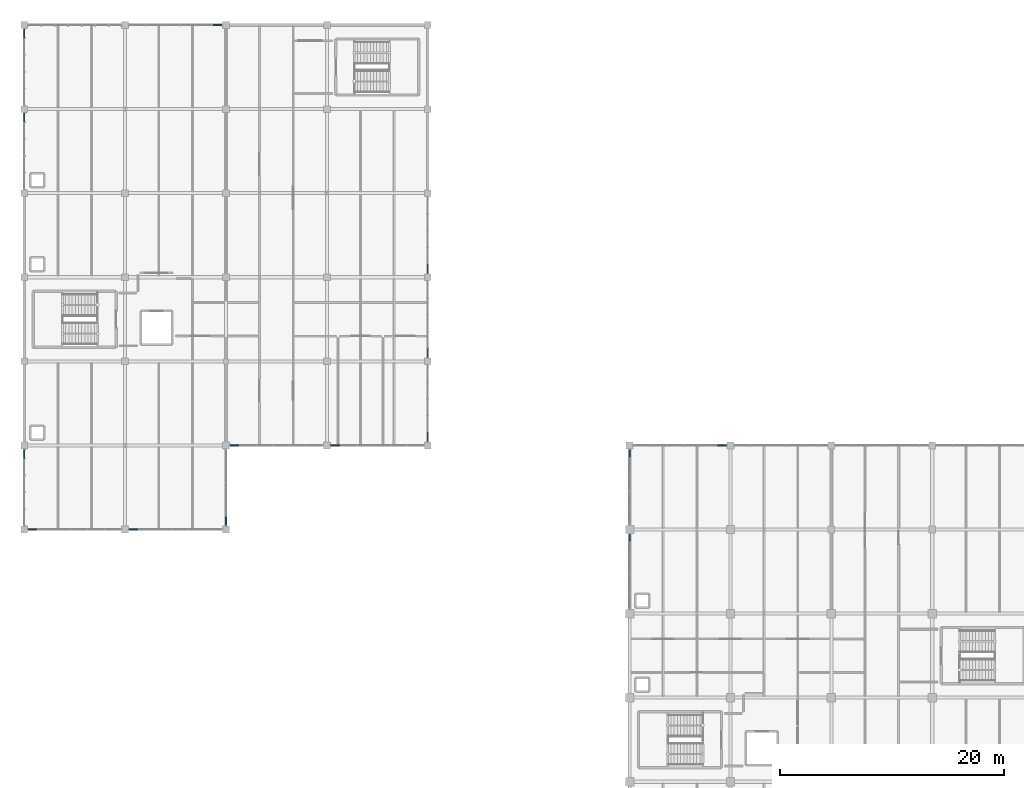
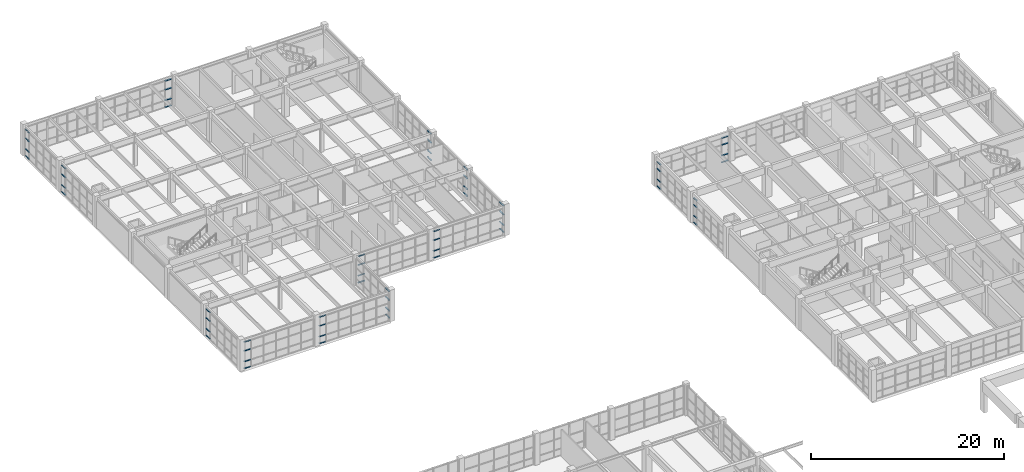
# One storey, part 42 of 76: 60 members, 15 elements without a shape of their own.
"""IFC4 building model written with IfcOpenShell, lengths in metres."""

import ifcopenshell
import ifcopenshell.guid

model = None  # the IFC model being written
_history = None  # IfcOwnerHistory: only IFC2X3 demands one
_inside = {}  # id of a spatial element -> (the spatial element, [elements in it])
_under = {}  # id of a project, library or spatial element -> (it, [spatial elements below it])
_declared = {}  # id of a project -> (the project, [libraries it declares])
_typed = {}  # id of a type object -> (the type object, [elements of that type])
_made_of = {}  # id of a material, layer set ... -> (it, [elements and type objects made of it])


def new_model(schema):
    """Start an empty IFC model of exactly this schema.

    Asked for "IFC4X3", IfcOpenShell would pick the latest addendum, in which some entities
    have other attributes; the version numbers below select the first issue.
    IFC2X3 requires an IfcOwnerHistory on every rooted entity: one is made here for all.
    """
    global model, _history
    if schema == "IFC4X3":
        model = ifcopenshell.file(schema_version=(4, 3, 0, 0))
    else:
        model = ifcopenshell.file(schema=schema)
    _inside.clear()
    _under.clear()
    _declared.clear()
    _typed.clear()
    _made_of.clear()
    _history = None
    if model.schema == "IFC2X3":
        org = make("IfcOrganization", Name="unknown")
        user = make(
            "IfcPersonAndOrganization",
            ThePerson=make("IfcPerson", FamilyName="unknown"),
            TheOrganization=org,
        )
        app = make(
            "IfcApplication",
            ApplicationDeveloper=org,
            Version="unknown",
            ApplicationFullName="unknown",
            ApplicationIdentifier="unknown",
        )
        _history = make(
            "IfcOwnerHistory",
            OwningUser=user,
            OwningApplication=app,
            ChangeAction="ADDED",
            CreationDate=0,
        )
    return model


def make(cls, **values):
    """One entity of the class cls with the attributes given. An attribute that is None is left unset."""
    return model.create_entity(
        cls, **{name: value for name, value in values.items() if value is not None}
    )


def rooted(cls, **values):
    """An entity with a GlobalId (a new one), such as an element, a storey or a relation."""
    return make(cls, GlobalId=ifcopenshell.guid.new(), OwnerHistory=_history, **values)


def si_unit(unit_type, name, prefix=None):
    """IfcSIUnit, for example si_unit("LENGTHUNIT", "METRE", prefix="MILLI")."""
    return make("IfcSIUnit", UnitType=unit_type, Prefix=prefix, Name=name)


def assignment(units):
    """IfcUnitAssignment: the units of a project."""
    return None if units is None else make("IfcUnitAssignment", Units=units)


def point(xyz):
    """IfcCartesianPoint."""
    return None if xyz is None else make("IfcCartesianPoint", Coordinates=xyz)


def direction(xyz):
    """IfcDirection."""
    return None if xyz is None else make("IfcDirection", DirectionRatios=xyz)


def frame(location, z_axis=None, x_axis=None):
    """IfcAxis2Placement3D, a coordinate frame: its origin and axes. An axis left out is left unset."""
    return make(
        "IfcAxis2Placement3D",
        Location=point(location),
        Axis=direction(z_axis),
        RefDirection=direction(x_axis),
    )


def frame_2d(location, x_axis=None):
    """IfcAxis2Placement2D, a coordinate frame in the plane: its origin and x axis."""
    return make(
        "IfcAxis2Placement2D", Location=point(location), RefDirection=direction(x_axis)
    )


def origin():
    """The frame at (0, 0, 0) with its axes left unset."""
    return frame((0.0, 0.0, 0.0))


def origin_2d():
    """The frame at (0, 0) in the plane with its x axis left unset."""
    return frame_2d((0.0, 0.0))


def place(relative_to, where):
    """IfcLocalPlacement: puts the frame where relative to a parent placement (None: the world)."""
    return make(
        "IfcLocalPlacement", PlacementRelTo=relative_to, RelativePlacement=where
    )


def context(
    kind, dimensions, precision=None, world=None, true_north=None, identifier=None
):
    """IfcGeometricRepresentationContext, for example the 3D "Model" context."""
    return make(
        "IfcGeometricRepresentationContext",
        ContextIdentifier=identifier,
        ContextType=kind,
        CoordinateSpaceDimension=dimensions,
        Precision=precision,
        WorldCoordinateSystem=world,
        TrueNorth=true_north,
    )


def subcontext(parent, identifier, kind, view, scale=None):
    """IfcGeometricRepresentationSubContext, for example "Body" below "Model"."""
    return make(
        "IfcGeometricRepresentationSubContext",
        ContextIdentifier=identifier,
        ContextType=kind,
        ParentContext=parent,
        TargetScale=scale,
        TargetView=view,
    )


def project(units=None, contexts=None):
    """IfcProject with its units and contexts."""
    return rooted(
        "IfcProject",
        Name="project",
        RepresentationContexts=contexts,
        UnitsInContext=assignment(units),
    )


def spatial(cls, under=None, at=None, **own):
    """A site, building, storey or space (cls), placed at a placement, below another one or the project."""
    s = rooted(cls, ObjectPlacement=at, **own)
    if under is not None:
        _under.setdefault(under.id(), (under, []))[1].append(s)
    return s


def profile(cls, at=None, kind="AREA", **sizes):
    """A parametric profile (cls). Its sizes go by their IFC names, for example OverallWidth=200.0."""
    return make(cls, ProfileType=kind, Position=at, **sizes)


def rectangle(**sizes):
    """IfcRectangleProfileDef."""
    return profile("IfcRectangleProfileDef", **sizes)


def extrude(swept, where, along, depth):
    """IfcExtrudedAreaSolid: the profile swept, set in the frame where, extruded along a direction by depth."""
    return make(
        "IfcExtrudedAreaSolid",
        SweptArea=swept,
        Position=where,
        ExtrudedDirection=direction(along),
        Depth=depth,
    )


def shape(context_of_items, identifier, shape_type, items):
    """IfcShapeRepresentation: the items that make up one representation, for example the "Body"."""
    return make(
        "IfcShapeRepresentation",
        ContextOfItems=context_of_items,
        RepresentationIdentifier=identifier,
        RepresentationType=shape_type,
        Items=items,
    )


def material(Name=None, Category=None):
    """IfcMaterial."""
    return make("IfcMaterial", Name=Name, Category=Category)


def layer(
    of_material, thickness, ventilated=None, Name=None, Category=None, Priority=None
):
    """IfcMaterialLayer: one layer of a wall or slab, of a material (None: an air gap)."""
    return make(
        "IfcMaterialLayer",
        Material=of_material,
        LayerThickness=thickness,
        IsVentilated=ventilated,
        Name=Name,
        Category=Category,
        Priority=Priority,
    )


def layer_set(layers, Name=None):
    """IfcMaterialLayerSet."""
    return make("IfcMaterialLayerSet", MaterialLayers=layers, LayerSetName=Name)


def material_profile(
    of_material, cross_section, Name=None, Category=None, Priority=None
):
    """IfcMaterialProfile: a cross section and its material."""
    return make(
        "IfcMaterialProfile",
        Name=Name,
        Material=of_material,
        Profile=cross_section,
        Priority=Priority,
        Category=Category,
    )


def profile_set(profiles, Name=None, composite=None):
    """IfcMaterialProfileSet."""
    return make(
        "IfcMaterialProfileSet",
        Name=Name,
        MaterialProfiles=profiles,
        CompositeProfile=composite,
    )


def made_of(thing, what):
    """Note that an element or type object is made of a material, layer set ...; save() writes the relation."""
    if what is not None:
        _made_of.setdefault(what.id(), (what, []))[1].append(thing)
    return thing


def type_object(cls, material=None, **own):
    """A type object (cls), such as IfcWallType, which elements share."""
    return made_of(rooted(cls, **own), material)


def element(
    cls,
    number,
    at=None,
    inside=None,
    cuts=None,
    type_object=None,
    material=None,
    context=None,
    identifier="Body",
    shape_type=None,
    held_by="IfcProductDefinitionShape",
    body=None,
    shapes=None,
    **own,
):
    """One element of the class cls, such as IfcWall. Its Tag is "e" and its number.

    at: its placement. inside: the storey or other place that contains it. cuts: it is an
    opening in that element (IfcRelVoidsElement). A single representation is given by context,
    identifier, shape_type and body (its items); several are given by shapes. held_by: the class
    of the entity that holds the representations. save() writes the other relations.
    """
    e = rooted(cls, Tag="e%d" % number, ObjectPlacement=at, **own)
    if body is not None:
        shapes = [shape(context, identifier, shape_type, body)]
    if shapes is not None:
        e.Representation = make(held_by, Representations=shapes)
    if inside is not None:
        _inside.setdefault(inside.id(), (inside, []))[1].append(e)
    if cuts is not None:
        rooted(
            "IfcRelVoidsElement", RelatingBuildingElement=cuts, RelatedOpeningElement=e
        )
    if type_object is not None:
        _typed.setdefault(type_object.id(), (type_object, []))[1].append(e)
    return made_of(e, material)


def aggregate(whole, parts):
    """IfcRelAggregates: a whole, such as a stair, and the parts it consists of."""
    return rooted("IfcRelAggregates", RelatingObject=whole, RelatedObjects=parts)


def save(model, path):
    """Write the relations noted so far, then the file.

    IfcRelAggregates (storeys below a building ...), IfcRelContainedInSpatialStructure (elements
    in a storey), IfcRelDefinesByType, IfcRelAssociatesMaterial and IfcRelDeclares: one each for
    every whole, place, type object, material and project.
    """
    for whole, parts in _under.values():
        aggregate(whole, parts)
    for where, things in _inside.values():
        rooted(
            "IfcRelContainedInSpatialStructure",
            RelatedElements=things,
            RelatingStructure=where,
        )
    for kind, things in _typed.values():
        rooted("IfcRelDefinesByType", RelatedObjects=things, RelatingType=kind)
    for what, things in _made_of.values():
        rooted("IfcRelAssociatesMaterial", RelatedObjects=things, RelatingMaterial=what)
    for by, libraries in _declared.values():
        rooted("IfcRelDeclares", RelatingContext=by, RelatedDefinitions=libraries)
    model.write(path)


model = new_model("IFC4")

# Units and contexts
model_context = context("Model", 3, precision=1e-05, world=origin(), true_north=direction((0.0, 1.0)))
body_context = subcontext(model_context, "Body", "Model", "MODEL_VIEW")
ifc_project = project(units=[si_unit("LENGTHUNIT", "METRE"), si_unit("AREAUNIT", "SQUARE_METRE"), si_unit("VOLUMEUNIT", "CUBIC_METRE"), si_unit("PLANEANGLEUNIT", "RADIAN"), si_unit("MASSUNIT", "GRAM", prefix="KILO")], contexts=[model_context])

# Site, building, storey
site_placement = place(None, origin())
site = spatial("IfcSite", under=ifc_project, at=site_placement, CompositionType="ELEMENT")
building_placement = place(site_placement, origin())
building = spatial("IfcBuilding", under=site, at=building_placement, Name="Marnridge Secondary College", CompositionType="ELEMENT")
storey_placement = place(building_placement, frame((0.0, 0.0, 4.5)))
storey = spatial("IfcBuildingStorey", under=building, at=storey_placement, Name="L01", CompositionType="ELEMENT", Elevation=4.5)

# Curtain wall, members
ifc_material_1 = material(Name="Thermally broken aluminium and low-E glazing", Category="aluminium")
ifc_layer = layer(ifc_material_1, 0.159912109375)
ifc_layer_set = layer_set([ifc_layer], Name="CW-MOD-1500")
curtain_wall_type = type_object("IfcCurtainWallType", Name="CW-MOD-1500", PredefinedType="NOTDEFINED", material=ifc_layer_set)
curtain_wall_1_placement = place(storey_placement, origin())
curtain_wall_1 = element("IfcCurtainWall", 1, at=curtain_wall_1_placement, inside=storey, type_object=curtain_wall_type, Name="Unitised curtain wall CW-L01-028", PredefinedType="NOTDEFINED")
ifc_material_2 = material(Name="Anodised aluminium 6063-T6", Category="aluminium")
ifc_material_profile = material_profile(ifc_material_2, rectangle(XDim=0.06005859375, YDim=0.1201171875, at=origin_2d()), Name="ALU 60x120")
ifc_profile_set = profile_set([ifc_material_profile], Name="Anodised aluminium 6063-T6")
member_type = type_object("IfcMemberType", Name="CWT-ALU120", PredefinedType="USERDEFINED", material=ifc_profile_set)
member_1_placement = place(storey_placement, frame((61.864013671875, 82.5, 0.030029296875), z_axis=(1.0, 0.0, 0.0), x_axis=(0.0, 0.0, 1.0)))
member_1 = element("IfcMember", 2, at=member_1_placement, type_object=member_type, Name="CW-L01-028 transom 6.1", ObjectType="TRANSOM", PredefinedType="USERDEFINED", context=body_context, shape_type="SweptSolid", body=[
    extrude(rectangle(XDim=0.06005859375, YDim=0.1201171875, at=origin_2d()), origin(), (0.0, 0.0, 1.0), 0.77197265625),
])
member_2_placement = place(storey_placement, frame((61.864013671875, 82.5, 0.89990234375), z_axis=(1.0, 0.0, 0.0), x_axis=(0.0, 0.0, 1.0)))
member_2 = element("IfcMember", 3, at=member_2_placement, type_object=member_type, Name="CW-L01-028 transom 6.2", ObjectType="TRANSOM", PredefinedType="USERDEFINED", context=body_context, shape_type="SweptSolid", body=[
    extrude(rectangle(XDim=0.06005859375, YDim=0.1201171875, at=origin_2d()), origin(), (0.0, 0.0, 1.0), 0.77197265625),
])
member_3_placement = place(storey_placement, frame((61.864013671875, 82.5, 2.25), z_axis=(1.0, 0.0, 0.0), x_axis=(0.0, 0.0, 1.0)))
member_3 = element("IfcMember", 4, at=member_3_placement, type_object=member_type, Name="CW-L01-028 transom 6.3", ObjectType="TRANSOM", PredefinedType="USERDEFINED", context=body_context, shape_type="SweptSolid", body=[
    extrude(rectangle(XDim=0.06005859375, YDim=0.1201171875, at=origin_2d()), origin(), (0.0, 0.0, 1.0), 0.77197265625),
])
member_4_placement = place(storey_placement, frame((61.864013671875, 82.5, 3.116943359375), z_axis=(1.0, 0.0, 0.0), x_axis=(0.0, 0.0, 1.0)))
member_4 = element("IfcMember", 5, at=member_4_placement, type_object=member_type, Name="CW-L01-028 transom 6.4", ObjectType="TRANSOM", PredefinedType="USERDEFINED", context=body_context, shape_type="SweptSolid", body=[
    extrude(rectangle(XDim=0.06005859375, YDim=0.1201171875, at=origin_2d()), origin(), (0.0, 0.0, 1.0), 0.77197265625),
])
aggregate(curtain_wall_1, [member_1, member_2, member_3, member_4])

curtain_wall_2_placement = place(storey_placement, origin())
curtain_wall_2 = element("IfcCurtainWall", 6, at=curtain_wall_2_placement, inside=storey, type_object=curtain_wall_type, Name="Unitised curtain wall CW-L01-040", PredefinedType="NOTDEFINED")
member_5_placement = place(storey_placement, frame((54.0, 73.93896484375, 0.030029296875), z_axis=(0.0, 1.0, 0.0), x_axis=(0.0, 0.0, 1.0)))
member_5 = element("IfcMember", 7, at=member_5_placement, type_object=member_type, Name="CW-L01-040 transom 5.1", ObjectType="TRANSOM", PredefinedType="USERDEFINED", context=body_context, shape_type="SweptSolid", body=[
    extrude(rectangle(XDim=0.06005859375, YDim=0.1201171875, at=origin_2d()), origin(), (0.0, 0.0, 1.0), 0.6220703125),
])
member_6_placement = place(storey_placement, frame((54.0, 73.93896484375, 0.89990234375), z_axis=(0.0, 1.0, 0.0), x_axis=(0.0, 0.0, 1.0)))
member_6 = element("IfcMember", 8, at=member_6_placement, type_object=member_type, Name="CW-L01-040 transom 5.2", ObjectType="TRANSOM", PredefinedType="USERDEFINED", context=body_context, shape_type="SweptSolid", body=[
    extrude(rectangle(XDim=0.06005859375, YDim=0.1201171875, at=origin_2d()), origin(), (0.0, 0.0, 1.0), 0.6220703125),
])
member_7_placement = place(storey_placement, frame((54.0, 73.93896484375, 2.25), z_axis=(0.0, 1.0, 0.0), x_axis=(0.0, 0.0, 1.0)))
member_7 = element("IfcMember", 9, at=member_7_placement, type_object=member_type, Name="CW-L01-040 transom 5.3", ObjectType="TRANSOM", PredefinedType="USERDEFINED", context=body_context, shape_type="SweptSolid", body=[
    extrude(rectangle(XDim=0.06005859375, YDim=0.1201171875, at=origin_2d()), origin(), (0.0, 0.0, 1.0), 0.6220703125),
])
member_8_placement = place(storey_placement, frame((54.0, 73.93896484375, 3.116943359375), z_axis=(0.0, 1.0, 0.0), x_axis=(0.0, 0.0, 1.0)))
member_8 = element("IfcMember", 10, at=member_8_placement, type_object=member_type, Name="CW-L01-040 transom 5.4", ObjectType="TRANSOM", PredefinedType="USERDEFINED", context=body_context, shape_type="SweptSolid", body=[
    extrude(rectangle(XDim=0.06005859375, YDim=0.1201171875, at=origin_2d()), origin(), (0.0, 0.0, 1.0), 0.6220703125),
])
aggregate(curtain_wall_2, [member_5, member_6, member_7, member_8])

curtain_wall_3_placement = place(storey_placement, origin())
curtain_wall_3 = element("IfcCurtainWall", 11, at=curtain_wall_3_placement, inside=storey, type_object=curtain_wall_type, Name="Unitised curtain wall CW-L01-041", PredefinedType="NOTDEFINED")
member_9_placement = place(storey_placement, frame((54.0, 81.43896484375, 0.030029296875), z_axis=(0.0, 1.0, 0.0), x_axis=(0.0, 0.0, 1.0)))
member_9 = element("IfcMember", 12, at=member_9_placement, type_object=member_type, Name="CW-L01-041 transom 5.1", ObjectType="TRANSOM", PredefinedType="USERDEFINED", context=body_context, shape_type="SweptSolid", body=[
    extrude(rectangle(XDim=0.06005859375, YDim=0.1201171875, at=origin_2d()), origin(), (0.0, 0.0, 1.0), 0.697021484375),
])
member_10_placement = place(storey_placement, frame((54.0, 81.43896484375, 0.89990234375), z_axis=(0.0, 1.0, 0.0), x_axis=(0.0, 0.0, 1.0)))
member_10 = element("IfcMember", 13, at=member_10_placement, type_object=member_type, Name="CW-L01-041 transom 5.2", ObjectType="TRANSOM", PredefinedType="USERDEFINED", context=body_context, shape_type="SweptSolid", body=[
    extrude(rectangle(XDim=0.06005859375, YDim=0.1201171875, at=origin_2d()), origin(), (0.0, 0.0, 1.0), 0.697021484375),
])
member_11_placement = place(storey_placement, frame((54.0, 81.43896484375, 2.25), z_axis=(0.0, 1.0, 0.0), x_axis=(0.0, 0.0, 1.0)))
member_11 = element("IfcMember", 14, at=member_11_placement, type_object=member_type, Name="CW-L01-041 transom 5.3", ObjectType="TRANSOM", PredefinedType="USERDEFINED", context=body_context, shape_type="SweptSolid", body=[
    extrude(rectangle(XDim=0.06005859375, YDim=0.1201171875, at=origin_2d()), origin(), (0.0, 0.0, 1.0), 0.697021484375),
])
member_12_placement = place(storey_placement, frame((54.0, 81.43896484375, 3.116943359375), z_axis=(0.0, 1.0, 0.0), x_axis=(0.0, 0.0, 1.0)))
member_12 = element("IfcMember", 15, at=member_12_placement, type_object=member_type, Name="CW-L01-041 transom 5.4", ObjectType="TRANSOM", PredefinedType="USERDEFINED", context=body_context, shape_type="SweptSolid", body=[
    extrude(rectangle(XDim=0.06005859375, YDim=0.1201171875, at=origin_2d()), origin(), (0.0, 0.0, 1.0), 0.697021484375),
])
aggregate(curtain_wall_3, [member_9, member_10, member_11, member_12])

curtain_wall_4_placement = place(storey_placement, origin())
curtain_wall_4 = element("IfcCurtainWall", 16, at=curtain_wall_4_placement, inside=storey, type_object=curtain_wall_type, Name="Unitised curtain wall CW-L01-047", PredefinedType="NOTDEFINED")
member_13_placement = place(storey_placement, frame((16.864013671875, 120.0, 0.030029296875), z_axis=(1.0, 0.0, 0.0), x_axis=(0.0, 0.0, 1.0)))
member_13 = element("IfcMember", 17, at=member_13_placement, type_object=member_type, Name="CW-L01-047 transom 6.1", ObjectType="TRANSOM", PredefinedType="USERDEFINED", context=body_context, shape_type="SweptSolid", body=[
    extrude(rectangle(XDim=0.06005859375, YDim=0.1201171875, at=origin_2d()), origin(), (0.0, 0.0, 1.0), 0.77197265625),
])
member_14_placement = place(storey_placement, frame((16.864013671875, 120.0, 0.89990234375), z_axis=(1.0, 0.0, 0.0), x_axis=(0.0, 0.0, 1.0)))
member_14 = element("IfcMember", 18, at=member_14_placement, type_object=member_type, Name="CW-L01-047 transom 6.2", ObjectType="TRANSOM", PredefinedType="USERDEFINED", context=body_context, shape_type="SweptSolid", body=[
    extrude(rectangle(XDim=0.06005859375, YDim=0.1201171875, at=origin_2d()), origin(), (0.0, 0.0, 1.0), 0.77197265625),
])
member_15_placement = place(storey_placement, frame((16.864013671875, 120.0, 2.25), z_axis=(1.0, 0.0, 0.0), x_axis=(0.0, 0.0, 1.0)))
member_15 = element("IfcMember", 19, at=member_15_placement, type_object=member_type, Name="CW-L01-047 transom 6.3", ObjectType="TRANSOM", PredefinedType="USERDEFINED", context=body_context, shape_type="SweptSolid", body=[
    extrude(rectangle(XDim=0.06005859375, YDim=0.1201171875, at=origin_2d()), origin(), (0.0, 0.0, 1.0), 0.77197265625),
])
member_16_placement = place(storey_placement, frame((16.864013671875, 120.0, 3.3701171875), z_axis=(1.0, 0.0, 0.0), x_axis=(0.0, 0.0, 1.0)))
member_16 = element("IfcMember", 20, at=member_16_placement, type_object=member_type, Name="CW-L01-047 transom 6.4", ObjectType="TRANSOM", PredefinedType="USERDEFINED", context=body_context, shape_type="SweptSolid", body=[
    extrude(rectangle(XDim=0.06005859375, YDim=0.1201171875, at=origin_2d()), origin(), (0.0, 0.0, 1.0), 0.77197265625),
])
aggregate(curtain_wall_4, [member_13, member_14, member_15, member_16])

curtain_wall_5_placement = place(storey_placement, origin())
curtain_wall_5 = element("IfcCurtainWall", 21, at=curtain_wall_5_placement, inside=storey, type_object=curtain_wall_type, Name="Unitised curtain wall CW-L01-048", PredefinedType="NOTDEFINED")
member_17_placement = place(storey_placement, frame((36.0, 98.635986328125, 0.030029296875), z_axis=(0.0, -1.0, 0.0), x_axis=(0.0, 0.0, 1.0)))
member_17 = element("IfcMember", 22, at=member_17_placement, type_object=member_type, Name="CW-L01-048 transom 5.1", ObjectType="TRANSOM", PredefinedType="USERDEFINED", context=body_context, shape_type="SweptSolid", body=[
    extrude(rectangle(XDim=0.06005859375, YDim=0.1201171875, at=origin_2d()), origin(), (0.0, 0.0, 1.0), 0.77197265625),
])
member_18_placement = place(storey_placement, frame((36.0, 98.635986328125, 0.89990234375), z_axis=(0.0, -1.0, 0.0), x_axis=(0.0, 0.0, 1.0)))
member_18 = element("IfcMember", 23, at=member_18_placement, type_object=member_type, Name="CW-L01-048 transom 5.2", ObjectType="TRANSOM", PredefinedType="USERDEFINED", context=body_context, shape_type="SweptSolid", body=[
    extrude(rectangle(XDim=0.06005859375, YDim=0.1201171875, at=origin_2d()), origin(), (0.0, 0.0, 1.0), 0.77197265625),
])
member_19_placement = place(storey_placement, frame((36.0, 98.635986328125, 2.25), z_axis=(0.0, -1.0, 0.0), x_axis=(0.0, 0.0, 1.0)))
member_19 = element("IfcMember", 24, at=member_19_placement, type_object=member_type, Name="CW-L01-048 transom 5.3", ObjectType="TRANSOM", PredefinedType="USERDEFINED", context=body_context, shape_type="SweptSolid", body=[
    extrude(rectangle(XDim=0.06005859375, YDim=0.1201171875, at=origin_2d()), origin(), (0.0, 0.0, 1.0), 0.77197265625),
])
member_20_placement = place(storey_placement, frame((36.0, 98.635986328125, 3.3701171875), z_axis=(0.0, -1.0, 0.0), x_axis=(0.0, 0.0, 1.0)))
member_20 = element("IfcMember", 25, at=member_20_placement, type_object=member_type, Name="CW-L01-048 transom 5.4", ObjectType="TRANSOM", PredefinedType="USERDEFINED", context=body_context, shape_type="SweptSolid", body=[
    extrude(rectangle(XDim=0.06005859375, YDim=0.1201171875, at=origin_2d()), origin(), (0.0, 0.0, 1.0), 0.77197265625),
])
aggregate(curtain_wall_5, [member_17, member_18, member_19, member_20])

curtain_wall_6_placement = place(storey_placement, origin())
curtain_wall_6 = element("IfcCurtainWall", 26, at=curtain_wall_6_placement, inside=storey, type_object=curtain_wall_type, Name="Unitised curtain wall CW-L01-049", PredefinedType="NOTDEFINED")
member_21_placement = place(storey_placement, frame((36.0, 91.135986328125, 0.030029296875), z_axis=(0.0, -1.0, 0.0), x_axis=(0.0, 0.0, 1.0)))
member_21 = element("IfcMember", 27, at=member_21_placement, type_object=member_type, Name="CW-L01-049 transom 5.1", ObjectType="TRANSOM", PredefinedType="USERDEFINED", context=body_context, shape_type="SweptSolid", body=[
    extrude(rectangle(XDim=0.06005859375, YDim=0.1201171875, at=origin_2d()), origin(), (0.0, 0.0, 1.0), 0.77197265625),
])
member_22_placement = place(storey_placement, frame((36.0, 91.135986328125, 0.89990234375), z_axis=(0.0, -1.0, 0.0), x_axis=(0.0, 0.0, 1.0)))
member_22 = element("IfcMember", 28, at=member_22_placement, type_object=member_type, Name="CW-L01-049 transom 5.2", ObjectType="TRANSOM", PredefinedType="USERDEFINED", context=body_context, shape_type="SweptSolid", body=[
    extrude(rectangle(XDim=0.06005859375, YDim=0.1201171875, at=origin_2d()), origin(), (0.0, 0.0, 1.0), 0.77197265625),
])
member_23_placement = place(storey_placement, frame((36.0, 91.135986328125, 2.25), z_axis=(0.0, -1.0, 0.0), x_axis=(0.0, 0.0, 1.0)))
member_23 = element("IfcMember", 29, at=member_23_placement, type_object=member_type, Name="CW-L01-049 transom 5.3", ObjectType="TRANSOM", PredefinedType="USERDEFINED", context=body_context, shape_type="SweptSolid", body=[
    extrude(rectangle(XDim=0.06005859375, YDim=0.1201171875, at=origin_2d()), origin(), (0.0, 0.0, 1.0), 0.77197265625),
])
member_24_placement = place(storey_placement, frame((36.0, 91.135986328125, 3.3701171875), z_axis=(0.0, -1.0, 0.0), x_axis=(0.0, 0.0, 1.0)))
member_24 = element("IfcMember", 30, at=member_24_placement, type_object=member_type, Name="CW-L01-049 transom 5.4", ObjectType="TRANSOM", PredefinedType="USERDEFINED", context=body_context, shape_type="SweptSolid", body=[
    extrude(rectangle(XDim=0.06005859375, YDim=0.1201171875, at=origin_2d()), origin(), (0.0, 0.0, 1.0), 0.77197265625),
])
aggregate(curtain_wall_6, [member_21, member_22, member_23, member_24])

curtain_wall_7_placement = place(storey_placement, origin())
curtain_wall_7 = element("IfcCurtainWall", 31, at=curtain_wall_7_placement, inside=storey, type_object=curtain_wall_type, Name="Unitised curtain wall CW-L01-050", PredefinedType="NOTDEFINED")
member_25_placement = place(storey_placement, frame((36.0, 83.635986328125, 0.030029296875), z_axis=(0.0, -1.0, 0.0), x_axis=(0.0, 0.0, 1.0)))
member_25 = element("IfcMember", 32, at=member_25_placement, type_object=member_type, Name="CW-L01-050 transom 5.1", ObjectType="TRANSOM", PredefinedType="USERDEFINED", context=body_context, shape_type="SweptSolid", body=[
    extrude(rectangle(XDim=0.06005859375, YDim=0.1201171875, at=origin_2d()), origin(), (0.0, 0.0, 1.0), 0.77197265625),
])
member_26_placement = place(storey_placement, frame((36.0, 83.635986328125, 0.89990234375), z_axis=(0.0, -1.0, 0.0), x_axis=(0.0, 0.0, 1.0)))
member_26 = element("IfcMember", 33, at=member_26_placement, type_object=member_type, Name="CW-L01-050 transom 5.2", ObjectType="TRANSOM", PredefinedType="USERDEFINED", context=body_context, shape_type="SweptSolid", body=[
    extrude(rectangle(XDim=0.06005859375, YDim=0.1201171875, at=origin_2d()), origin(), (0.0, 0.0, 1.0), 0.77197265625),
])
member_27_placement = place(storey_placement, frame((36.0, 83.635986328125, 2.25), z_axis=(0.0, -1.0, 0.0), x_axis=(0.0, 0.0, 1.0)))
member_27 = element("IfcMember", 34, at=member_27_placement, type_object=member_type, Name="CW-L01-050 transom 5.3", ObjectType="TRANSOM", PredefinedType="USERDEFINED", context=body_context, shape_type="SweptSolid", body=[
    extrude(rectangle(XDim=0.06005859375, YDim=0.1201171875, at=origin_2d()), origin(), (0.0, 0.0, 1.0), 0.77197265625),
])
member_28_placement = place(storey_placement, frame((36.0, 83.635986328125, 3.3701171875), z_axis=(0.0, -1.0, 0.0), x_axis=(0.0, 0.0, 1.0)))
member_28 = element("IfcMember", 35, at=member_28_placement, type_object=member_type, Name="CW-L01-050 transom 5.4", ObjectType="TRANSOM", PredefinedType="USERDEFINED", context=body_context, shape_type="SweptSolid", body=[
    extrude(rectangle(XDim=0.06005859375, YDim=0.1201171875, at=origin_2d()), origin(), (0.0, 0.0, 1.0), 0.77197265625),
])
aggregate(curtain_wall_7, [member_25, member_26, member_27, member_28])

curtain_wall_8_placement = place(storey_placement, origin())
curtain_wall_8 = element("IfcCurtainWall", 36, at=curtain_wall_8_placement, inside=storey, type_object=curtain_wall_type, Name="Unitised curtain wall CW-L01-051", PredefinedType="NOTDEFINED")
member_29_placement = place(storey_placement, frame((28.135986328125, 82.5, 0.030029296875), z_axis=(-1.0, 0.0, 0.0), x_axis=(0.0, 0.0, 1.0)))
member_29 = element("IfcMember", 37, at=member_29_placement, type_object=member_type, Name="CW-L01-051 transom 6.1", ObjectType="TRANSOM", PredefinedType="USERDEFINED", context=body_context, shape_type="SweptSolid", body=[
    extrude(rectangle(XDim=0.06005859375, YDim=0.1201171875, at=origin_2d()), origin(), (0.0, 0.0, 1.0), 0.77197265625),
])
member_30_placement = place(storey_placement, frame((28.135986328125, 82.5, 0.89990234375), z_axis=(-1.0, 0.0, 0.0), x_axis=(0.0, 0.0, 1.0)))
member_30 = element("IfcMember", 38, at=member_30_placement, type_object=member_type, Name="CW-L01-051 transom 6.2", ObjectType="TRANSOM", PredefinedType="USERDEFINED", context=body_context, shape_type="SweptSolid", body=[
    extrude(rectangle(XDim=0.06005859375, YDim=0.1201171875, at=origin_2d()), origin(), (0.0, 0.0, 1.0), 0.77197265625),
])
member_31_placement = place(storey_placement, frame((28.135986328125, 82.5, 2.25), z_axis=(-1.0, 0.0, 0.0), x_axis=(0.0, 0.0, 1.0)))
member_31 = element("IfcMember", 39, at=member_31_placement, type_object=member_type, Name="CW-L01-051 transom 6.3", ObjectType="TRANSOM", PredefinedType="USERDEFINED", context=body_context, shape_type="SweptSolid", body=[
    extrude(rectangle(XDim=0.06005859375, YDim=0.1201171875, at=origin_2d()), origin(), (0.0, 0.0, 1.0), 0.77197265625),
])
member_32_placement = place(storey_placement, frame((28.135986328125, 82.5, 3.3701171875), z_axis=(-1.0, 0.0, 0.0), x_axis=(0.0, 0.0, 1.0)))
member_32 = element("IfcMember", 40, at=member_32_placement, type_object=member_type, Name="CW-L01-051 transom 6.4", ObjectType="TRANSOM", PredefinedType="USERDEFINED", context=body_context, shape_type="SweptSolid", body=[
    extrude(rectangle(XDim=0.06005859375, YDim=0.1201171875, at=origin_2d()), origin(), (0.0, 0.0, 1.0), 0.77197265625),
])
aggregate(curtain_wall_8, [member_29, member_30, member_31, member_32])

curtain_wall_9_placement = place(storey_placement, origin())
curtain_wall_9 = element("IfcCurtainWall", 41, at=curtain_wall_9_placement, inside=storey, type_object=curtain_wall_type, Name="Unitised curtain wall CW-L01-052", PredefinedType="NOTDEFINED")
member_33_placement = place(storey_placement, frame((19.135986328125, 82.5, 0.030029296875), z_axis=(-1.0, 0.0, 0.0), x_axis=(0.0, 0.0, 1.0)))
member_33 = element("IfcMember", 42, at=member_33_placement, type_object=member_type, Name="CW-L01-052 transom 6.1", ObjectType="TRANSOM", PredefinedType="USERDEFINED", context=body_context, shape_type="SweptSolid", body=[
    extrude(rectangle(XDim=0.06005859375, YDim=0.1201171875, at=origin_2d()), origin(), (0.0, 0.0, 1.0), 0.77197265625),
])
member_34_placement = place(storey_placement, frame((19.135986328125, 82.5, 0.89990234375), z_axis=(-1.0, 0.0, 0.0), x_axis=(0.0, 0.0, 1.0)))
member_34 = element("IfcMember", 43, at=member_34_placement, type_object=member_type, Name="CW-L01-052 transom 6.2", ObjectType="TRANSOM", PredefinedType="USERDEFINED", context=body_context, shape_type="SweptSolid", body=[
    extrude(rectangle(XDim=0.06005859375, YDim=0.1201171875, at=origin_2d()), origin(), (0.0, 0.0, 1.0), 0.77197265625),
])
member_35_placement = place(storey_placement, frame((19.135986328125, 82.5, 2.25), z_axis=(-1.0, 0.0, 0.0), x_axis=(0.0, 0.0, 1.0)))
member_35 = element("IfcMember", 44, at=member_35_placement, type_object=member_type, Name="CW-L01-052 transom 6.3", ObjectType="TRANSOM", PredefinedType="USERDEFINED", context=body_context, shape_type="SweptSolid", body=[
    extrude(rectangle(XDim=0.06005859375, YDim=0.1201171875, at=origin_2d()), origin(), (0.0, 0.0, 1.0), 0.77197265625),
])
member_36_placement = place(storey_placement, frame((19.135986328125, 82.5, 3.3701171875), z_axis=(-1.0, 0.0, 0.0), x_axis=(0.0, 0.0, 1.0)))
member_36 = element("IfcMember", 45, at=member_36_placement, type_object=member_type, Name="CW-L01-052 transom 6.4", ObjectType="TRANSOM", PredefinedType="USERDEFINED", context=body_context, shape_type="SweptSolid", body=[
    extrude(rectangle(XDim=0.06005859375, YDim=0.1201171875, at=origin_2d()), origin(), (0.0, 0.0, 1.0), 0.77197265625),
])
aggregate(curtain_wall_9, [member_33, member_34, member_35, member_36])

curtain_wall_10_placement = place(storey_placement, origin())
curtain_wall_10 = element("IfcCurtainWall", 46, at=curtain_wall_10_placement, inside=storey, type_object=curtain_wall_type, Name="Unitised curtain wall CW-L01-053", PredefinedType="NOTDEFINED")
member_37_placement = place(storey_placement, frame((18.0, 76.135986328125, 0.030029296875), z_axis=(0.0, -1.0, 0.0), x_axis=(0.0, 0.0, 1.0)))
member_37 = element("IfcMember", 47, at=member_37_placement, type_object=member_type, Name="CW-L01-053 transom 5.1", ObjectType="TRANSOM", PredefinedType="USERDEFINED", context=body_context, shape_type="SweptSolid", body=[
    extrude(rectangle(XDim=0.06005859375, YDim=0.1201171875, at=origin_2d()), origin(), (0.0, 0.0, 1.0), 0.77197265625),
])
member_38_placement = place(storey_placement, frame((18.0, 76.135986328125, 0.89990234375), z_axis=(0.0, -1.0, 0.0), x_axis=(0.0, 0.0, 1.0)))
member_38 = element("IfcMember", 48, at=member_38_placement, type_object=member_type, Name="CW-L01-053 transom 5.2", ObjectType="TRANSOM", PredefinedType="USERDEFINED", context=body_context, shape_type="SweptSolid", body=[
    extrude(rectangle(XDim=0.06005859375, YDim=0.1201171875, at=origin_2d()), origin(), (0.0, 0.0, 1.0), 0.77197265625),
])
member_39_placement = place(storey_placement, frame((18.0, 76.135986328125, 2.25), z_axis=(0.0, -1.0, 0.0), x_axis=(0.0, 0.0, 1.0)))
member_39 = element("IfcMember", 49, at=member_39_placement, type_object=member_type, Name="CW-L01-053 transom 5.3", ObjectType="TRANSOM", PredefinedType="USERDEFINED", context=body_context, shape_type="SweptSolid", body=[
    extrude(rectangle(XDim=0.06005859375, YDim=0.1201171875, at=origin_2d()), origin(), (0.0, 0.0, 1.0), 0.77197265625),
])
member_40_placement = place(storey_placement, frame((18.0, 76.135986328125, 3.3701171875), z_axis=(0.0, -1.0, 0.0), x_axis=(0.0, 0.0, 1.0)))
member_40 = element("IfcMember", 50, at=member_40_placement, type_object=member_type, Name="CW-L01-053 transom 5.4", ObjectType="TRANSOM", PredefinedType="USERDEFINED", context=body_context, shape_type="SweptSolid", body=[
    extrude(rectangle(XDim=0.06005859375, YDim=0.1201171875, at=origin_2d()), origin(), (0.0, 0.0, 1.0), 0.77197265625),
])
aggregate(curtain_wall_10, [member_37, member_38, member_39, member_40])

curtain_wall_11_placement = place(storey_placement, origin())
curtain_wall_11 = element("IfcCurtainWall", 51, at=curtain_wall_11_placement, inside=storey, type_object=curtain_wall_type, Name="Unitised curtain wall CW-L01-054", PredefinedType="NOTDEFINED")
member_41_placement = place(storey_placement, frame((10.135986328125, 75.0, 0.030029296875), z_axis=(-1.0, 0.0, 0.0), x_axis=(0.0, 0.0, 1.0)))
member_41 = element("IfcMember", 52, at=member_41_placement, type_object=member_type, Name="CW-L01-054 transom 6.1", ObjectType="TRANSOM", PredefinedType="USERDEFINED", context=body_context, shape_type="SweptSolid", body=[
    extrude(rectangle(XDim=0.06005859375, YDim=0.1201171875, at=origin_2d()), origin(), (0.0, 0.0, 1.0), 0.77197265625),
])
member_42_placement = place(storey_placement, frame((10.135986328125, 75.0, 0.89990234375), z_axis=(-1.0, 0.0, 0.0), x_axis=(0.0, 0.0, 1.0)))
member_42 = element("IfcMember", 53, at=member_42_placement, type_object=member_type, Name="CW-L01-054 transom 6.2", ObjectType="TRANSOM", PredefinedType="USERDEFINED", context=body_context, shape_type="SweptSolid", body=[
    extrude(rectangle(XDim=0.06005859375, YDim=0.1201171875, at=origin_2d()), origin(), (0.0, 0.0, 1.0), 0.77197265625),
])
member_43_placement = place(storey_placement, frame((10.135986328125, 75.0, 2.25), z_axis=(-1.0, 0.0, 0.0), x_axis=(0.0, 0.0, 1.0)))
member_43 = element("IfcMember", 54, at=member_43_placement, type_object=member_type, Name="CW-L01-054 transom 6.3", ObjectType="TRANSOM", PredefinedType="USERDEFINED", context=body_context, shape_type="SweptSolid", body=[
    extrude(rectangle(XDim=0.06005859375, YDim=0.1201171875, at=origin_2d()), origin(), (0.0, 0.0, 1.0), 0.77197265625),
])
member_44_placement = place(storey_placement, frame((10.135986328125, 75.0, 3.3701171875), z_axis=(-1.0, 0.0, 0.0), x_axis=(0.0, 0.0, 1.0)))
member_44 = element("IfcMember", 55, at=member_44_placement, type_object=member_type, Name="CW-L01-054 transom 6.4", ObjectType="TRANSOM", PredefinedType="USERDEFINED", context=body_context, shape_type="SweptSolid", body=[
    extrude(rectangle(XDim=0.06005859375, YDim=0.1201171875, at=origin_2d()), origin(), (0.0, 0.0, 1.0), 0.77197265625),
])
aggregate(curtain_wall_11, [member_41, member_42, member_43, member_44])

curtain_wall_12_placement = place(storey_placement, origin())
curtain_wall_12 = element("IfcCurtainWall", 56, at=curtain_wall_12_placement, inside=storey, type_object=curtain_wall_type, Name="Unitised curtain wall CW-L01-055", PredefinedType="NOTDEFINED")
member_45_placement = place(storey_placement, frame((1.135986328125, 75.0, 0.030029296875), z_axis=(-1.0, 0.0, 0.0), x_axis=(0.0, 0.0, 1.0)))
member_45 = element("IfcMember", 57, at=member_45_placement, type_object=member_type, Name="CW-L01-055 transom 6.1", ObjectType="TRANSOM", PredefinedType="USERDEFINED", context=body_context, shape_type="SweptSolid", body=[
    extrude(rectangle(XDim=0.06005859375, YDim=0.1201171875, at=origin_2d()), origin(), (0.0, 0.0, 1.0), 0.77197265625),
])
member_46_placement = place(storey_placement, frame((1.135986328125, 75.0, 0.89990234375), z_axis=(-1.0, 0.0, 0.0), x_axis=(0.0, 0.0, 1.0)))
member_46 = element("IfcMember", 58, at=member_46_placement, type_object=member_type, Name="CW-L01-055 transom 6.2", ObjectType="TRANSOM", PredefinedType="USERDEFINED", context=body_context, shape_type="SweptSolid", body=[
    extrude(rectangle(XDim=0.06005859375, YDim=0.1201171875, at=origin_2d()), origin(), (0.0, 0.0, 1.0), 0.77197265625),
])
member_47_placement = place(storey_placement, frame((1.135986328125, 75.0, 2.25), z_axis=(-1.0, 0.0, 0.0), x_axis=(0.0, 0.0, 1.0)))
member_47 = element("IfcMember", 59, at=member_47_placement, type_object=member_type, Name="CW-L01-055 transom 6.3", ObjectType="TRANSOM", PredefinedType="USERDEFINED", context=body_context, shape_type="SweptSolid", body=[
    extrude(rectangle(XDim=0.06005859375, YDim=0.1201171875, at=origin_2d()), origin(), (0.0, 0.0, 1.0), 0.77197265625),
])
member_48_placement = place(storey_placement, frame((1.135986328125, 75.0, 3.3701171875), z_axis=(-1.0, 0.0, 0.0), x_axis=(0.0, 0.0, 1.0)))
member_48 = element("IfcMember", 60, at=member_48_placement, type_object=member_type, Name="CW-L01-055 transom 6.4", ObjectType="TRANSOM", PredefinedType="USERDEFINED", context=body_context, shape_type="SweptSolid", body=[
    extrude(rectangle(XDim=0.06005859375, YDim=0.1201171875, at=origin_2d()), origin(), (0.0, 0.0, 1.0), 0.77197265625),
])
aggregate(curtain_wall_12, [member_45, member_46, member_47, member_48])

curtain_wall_13_placement = place(storey_placement, origin())
curtain_wall_13 = element("IfcCurtainWall", 61, at=curtain_wall_13_placement, inside=storey, type_object=curtain_wall_type, Name="Unitised curtain wall CW-L01-056", PredefinedType="NOTDEFINED")
member_49_placement = place(storey_placement, frame((0.0, 81.364013671875, 0.030029296875), z_axis=(0.0, 1.0, 0.0), x_axis=(0.0, 0.0, 1.0)))
member_49 = element("IfcMember", 62, at=member_49_placement, type_object=member_type, Name="CW-L01-056 transom 5.1", ObjectType="TRANSOM", PredefinedType="USERDEFINED", context=body_context, shape_type="SweptSolid", body=[
    extrude(rectangle(XDim=0.06005859375, YDim=0.1201171875, at=origin_2d()), origin(), (0.0, 0.0, 1.0), 0.77197265625),
])
member_50_placement = place(storey_placement, frame((0.0, 81.364013671875, 0.89990234375), z_axis=(0.0, 1.0, 0.0), x_axis=(0.0, 0.0, 1.0)))
member_50 = element("IfcMember", 63, at=member_50_placement, type_object=member_type, Name="CW-L01-056 transom 5.2", ObjectType="TRANSOM", PredefinedType="USERDEFINED", context=body_context, shape_type="SweptSolid", body=[
    extrude(rectangle(XDim=0.06005859375, YDim=0.1201171875, at=origin_2d()), origin(), (0.0, 0.0, 1.0), 0.77197265625),
])
member_51_placement = place(storey_placement, frame((0.0, 81.364013671875, 2.25), z_axis=(0.0, 1.0, 0.0), x_axis=(0.0, 0.0, 1.0)))
member_51 = element("IfcMember", 64, at=member_51_placement, type_object=member_type, Name="CW-L01-056 transom 5.3", ObjectType="TRANSOM", PredefinedType="USERDEFINED", context=body_context, shape_type="SweptSolid", body=[
    extrude(rectangle(XDim=0.06005859375, YDim=0.1201171875, at=origin_2d()), origin(), (0.0, 0.0, 1.0), 0.77197265625),
])
member_52_placement = place(storey_placement, frame((0.0, 81.364013671875, 3.3701171875), z_axis=(0.0, 1.0, 0.0), x_axis=(0.0, 0.0, 1.0)))
member_52 = element("IfcMember", 65, at=member_52_placement, type_object=member_type, Name="CW-L01-056 transom 5.4", ObjectType="TRANSOM", PredefinedType="USERDEFINED", context=body_context, shape_type="SweptSolid", body=[
    extrude(rectangle(XDim=0.06005859375, YDim=0.1201171875, at=origin_2d()), origin(), (0.0, 0.0, 1.0), 0.77197265625),
])
aggregate(curtain_wall_13, [member_49, member_50, member_51, member_52])

curtain_wall_14_placement = place(storey_placement, origin())
curtain_wall_14 = element("IfcCurtainWall", 66, at=curtain_wall_14_placement, inside=storey, type_object=curtain_wall_type, Name="Unitised curtain wall CW-L01-057", PredefinedType="NOTDEFINED")
member_53_placement = place(storey_placement, frame((0.0, 111.364013671875, 0.030029296875), z_axis=(0.0, 1.0, 0.0), x_axis=(0.0, 0.0, 1.0)))
member_53 = element("IfcMember", 67, at=member_53_placement, type_object=member_type, Name="CW-L01-057 transom 5.1", ObjectType="TRANSOM", PredefinedType="USERDEFINED", context=body_context, shape_type="SweptSolid", body=[
    extrude(rectangle(XDim=0.06005859375, YDim=0.1201171875, at=origin_2d()), origin(), (0.0, 0.0, 1.0), 0.77197265625),
])
member_54_placement = place(storey_placement, frame((0.0, 111.364013671875, 0.89990234375), z_axis=(0.0, 1.0, 0.0), x_axis=(0.0, 0.0, 1.0)))
member_54 = element("IfcMember", 68, at=member_54_placement, type_object=member_type, Name="CW-L01-057 transom 5.2", ObjectType="TRANSOM", PredefinedType="USERDEFINED", context=body_context, shape_type="SweptSolid", body=[
    extrude(rectangle(XDim=0.06005859375, YDim=0.1201171875, at=origin_2d()), origin(), (0.0, 0.0, 1.0), 0.77197265625),
])
member_55_placement = place(storey_placement, frame((0.0, 111.364013671875, 2.25), z_axis=(0.0, 1.0, 0.0), x_axis=(0.0, 0.0, 1.0)))
member_55 = element("IfcMember", 69, at=member_55_placement, type_object=member_type, Name="CW-L01-057 transom 5.3", ObjectType="TRANSOM", PredefinedType="USERDEFINED", context=body_context, shape_type="SweptSolid", body=[
    extrude(rectangle(XDim=0.06005859375, YDim=0.1201171875, at=origin_2d()), origin(), (0.0, 0.0, 1.0), 0.77197265625),
])
member_56_placement = place(storey_placement, frame((0.0, 111.364013671875, 3.3701171875), z_axis=(0.0, 1.0, 0.0), x_axis=(0.0, 0.0, 1.0)))
member_56 = element("IfcMember", 70, at=member_56_placement, type_object=member_type, Name="CW-L01-057 transom 5.4", ObjectType="TRANSOM", PredefinedType="USERDEFINED", context=body_context, shape_type="SweptSolid", body=[
    extrude(rectangle(XDim=0.06005859375, YDim=0.1201171875, at=origin_2d()), origin(), (0.0, 0.0, 1.0), 0.77197265625),
])
aggregate(curtain_wall_14, [member_53, member_54, member_55, member_56])

curtain_wall_15_placement = place(storey_placement, origin())
curtain_wall_15 = element("IfcCurtainWall", 71, at=curtain_wall_15_placement, inside=storey, type_object=curtain_wall_type, Name="Unitised curtain wall CW-L01-058", PredefinedType="NOTDEFINED")
member_57_placement = place(storey_placement, frame((0.0, 118.864013671875, 0.030029296875), z_axis=(0.0, 1.0, 0.0), x_axis=(0.0, 0.0, 1.0)))
member_57 = element("IfcMember", 72, at=member_57_placement, type_object=member_type, Name="CW-L01-058 transom 5.1", ObjectType="TRANSOM", PredefinedType="USERDEFINED", context=body_context, shape_type="SweptSolid", body=[
    extrude(rectangle(XDim=0.06005859375, YDim=0.1201171875, at=origin_2d()), origin(), (0.0, 0.0, 1.0), 0.77197265625),
])
member_58_placement = place(storey_placement, frame((0.0, 118.864013671875, 0.89990234375), z_axis=(0.0, 1.0, 0.0), x_axis=(0.0, 0.0, 1.0)))
member_58 = element("IfcMember", 73, at=member_58_placement, type_object=member_type, Name="CW-L01-058 transom 5.2", ObjectType="TRANSOM", PredefinedType="USERDEFINED", context=body_context, shape_type="SweptSolid", body=[
    extrude(rectangle(XDim=0.06005859375, YDim=0.1201171875, at=origin_2d()), origin(), (0.0, 0.0, 1.0), 0.77197265625),
])
member_59_placement = place(storey_placement, frame((0.0, 118.864013671875, 2.25), z_axis=(0.0, 1.0, 0.0), x_axis=(0.0, 0.0, 1.0)))
member_59 = element("IfcMember", 74, at=member_59_placement, type_object=member_type, Name="CW-L01-058 transom 5.3", ObjectType="TRANSOM", PredefinedType="USERDEFINED", context=body_context, shape_type="SweptSolid", body=[
    extrude(rectangle(XDim=0.06005859375, YDim=0.1201171875, at=origin_2d()), origin(), (0.0, 0.0, 1.0), 0.77197265625),
])
member_60_placement = place(storey_placement, frame((0.0, 118.864013671875, 3.3701171875), z_axis=(0.0, 1.0, 0.0), x_axis=(0.0, 0.0, 1.0)))
member_60 = element("IfcMember", 75, at=member_60_placement, type_object=member_type, Name="CW-L01-058 transom 5.4", ObjectType="TRANSOM", PredefinedType="USERDEFINED", context=body_context, shape_type="SweptSolid", body=[
    extrude(rectangle(XDim=0.06005859375, YDim=0.1201171875, at=origin_2d()), origin(), (0.0, 0.0, 1.0), 0.77197265625),
])
aggregate(curtain_wall_15, [member_57, member_58, member_59, member_60])

save(model, "model.ifc")
